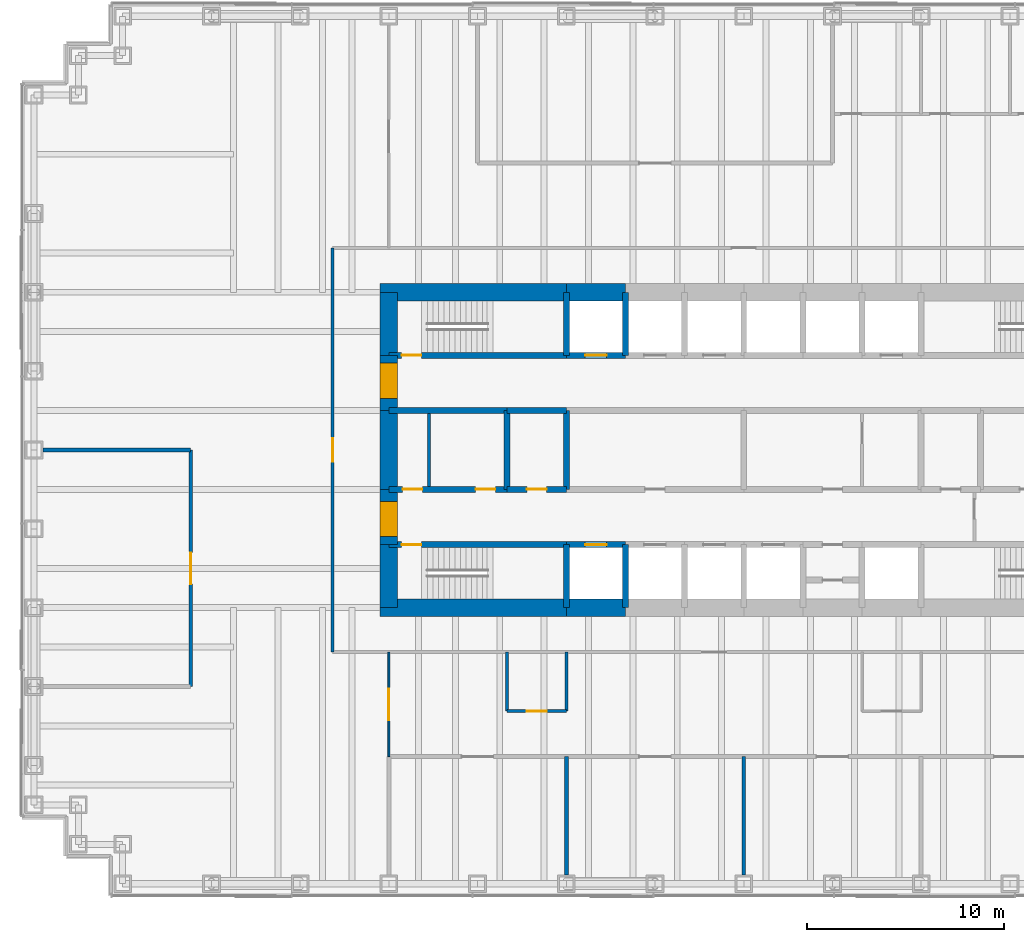
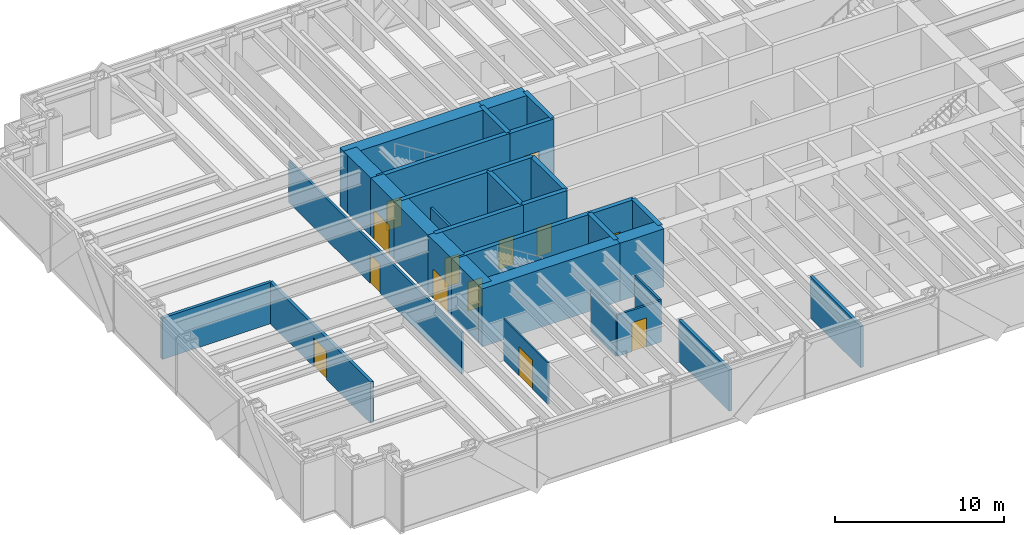
# One storey, part 11 of 15: 33 walls, 13 doors, 13 openings.
"""IFC4 building model written with IfcOpenShell, lengths in metres."""

from ifc_helpers import new_model, si_unit, direction, frame, frame_2d, origin, place, context, subcontext, project, spatial, rectangle, extrude, material, layer, layer_set, type_object, element, fill, save


model = new_model("IFC4")

# Units and contexts
model_context = context("Model", 3, precision=1e-05, world=origin(), true_north=direction((0.0, 1.0)))
body_context = subcontext(model_context, "Body", "Model", "MODEL_VIEW")
ifc_project = project(units=[si_unit("LENGTHUNIT", "METRE"), si_unit("AREAUNIT", "SQUARE_METRE"), si_unit("VOLUMEUNIT", "CUBIC_METRE"), si_unit("PLANEANGLEUNIT", "RADIAN"), si_unit("MASSUNIT", "GRAM", prefix="KILO")], contexts=[model_context])

# Site, building, storey
site_placement = place(None, origin())
site = spatial("IfcSite", under=ifc_project, at=site_placement, CompositionType="ELEMENT")
building_placement = place(site_placement, origin())
building = spatial("IfcBuilding", under=site, at=building_placement, Name="Rheinbord Bourse Tower", CompositionType="ELEMENT")
storey_placement = place(building_placement, frame((0.0, 0.0, 146.699951171875)))
storey = spatial("IfcBuildingStorey", under=building, at=storey_placement, Name="L32", CompositionType="ELEMENT", Elevation=146.699951171875)

# Wall
ifc_material_1 = material(Name="Acoustic gypsum board partition", Category="gypsum board")
ifc_layer_1 = layer(ifc_material_1, 0.199951171875)
ifc_layer_set_1 = layer_set([ifc_layer_1], Name="ACOUSTIC PARTITION 200")
wall_type_1 = type_object("IfcWallType", Name="ACOUSTIC PARTITION 200", PredefinedType="PARTITIONING", material=ifc_layer_set_1)
wall_1_placement = place(storey_placement, frame((0.449951171875, 24.0, 0.0), z_axis=(0.0, 0.0, 1.0), x_axis=(1.0, 0.0, 0.0)))
element("IfcWall", 1, at=wall_1_placement, inside=storey, type_object=wall_type_1, Name="Partition L32-07", PredefinedType="PARTITIONING", context=body_context, shape_type="SweptSolid", body=[
    extrude(rectangle(XDim=7.5, YDim=0.199951171875, at=frame_2d((3.75, 0.0))), origin(), (0.0, 0.0, 1.0), 3.0),
])

# Wall, opening, door
wall_2_placement = place(storey_placement, frame((7.949951171875, 12.0, 0.0), z_axis=(0.0, 0.0, 1.0), x_axis=(0.0, 1.0, 0.0)))
wall_2 = element("IfcWall", 2, at=wall_2_placement, inside=storey, type_object=wall_type_1, Name="Partition L32-14", PredefinedType="PARTITIONING", context=body_context, shape_type="SweptSolid", body=[
    extrude(rectangle(XDim=12.0, YDim=0.199951171875, at=frame_2d((6.0, 0.0))), origin(), (0.0, 0.0, 1.0), 3.0),
])
opening_1_placement = place(wall_2_placement, frame((5.199951171875, 0.0, 0.0)))
opening_1 = element("IfcOpeningElement", 3, at=opening_1_placement, cuts=wall_2, Name="Opening 32D07", PredefinedType="OPENING", context=body_context, shape_type="SweptSolid", body=[
    extrude(rectangle(XDim=1.60009765625, YDim=2.10009765625, at=frame_2d((0.800048828125, 1.050048828125))), frame((0.0, 0.10986328125, 0.0), z_axis=(0.0, -1.0, 0.0), x_axis=(1.0, 0.0, 0.0)), (0.0, 0.0, 1.0), 0.219970703125),
])
ifc_material_2 = material(Name="Timber door", Category="wood")
door_type_1 = type_object("IfcDoorType", Name="DOUBLE ROOM DOOR 1600", OperationType="DOUBLE_DOOR_DOUBLE_SWING", PredefinedType="DOOR", material=ifc_material_2)
door_1_placement = place(opening_1_placement, origin())
door_1 = element("IfcDoor", 4, at=door_1_placement, inside=storey, type_object=door_type_1, Name="Seminar room door L32", OperationType="SINGLE_SWING_LEFT", OverallHeight=2.10009765625, OverallWidth=1.60009765625, PredefinedType="DOOR", context=body_context, shape_type="SweptSolid", body=[
    extrude(rectangle(XDim=1.60009765625, YDim=2.10009765625, at=frame_2d((0.800048828125, 1.050048828125))), frame((0.0, 0.02490234375, 0.0), z_axis=(0.0, -1.0, 0.0), x_axis=(1.0, 0.0, 0.0)), (0.0, 0.0, 1.0), 0.050048828125),
])
fill(opening_1, door_1)

# Walls
for number, where, z_axis, x_axis, name in (
    (5, (27.0, 2.449951171875, 0.0), (0.0, 0.0, 1.0), (0.0, 1.0, 0.0), "Partition L32-21"),
    (6, (36.0, 2.449951171875, 0.0), (0.0, 0.0, 1.0), (0.0, 1.0, 0.0), "Partition L32-23"),
):
    element("IfcWall", number, at=place(storey_placement, frame(where, z_axis=z_axis, x_axis=x_axis)), inside=storey, type_object=wall_type_1, Name=name, PredefinedType="PARTITIONING", context=body_context, shape_type="SweptSolid", body=[
        extrude(rectangle(XDim=6.0, YDim=0.199951171875, at=frame_2d((3.0, 0.0))), origin(), (0.0, 0.0, 1.0), 3.0),
    ])

# Wall, opening, door
ifc_material_3 = material(Name="Concrete C50/60", Category="concrete")
ifc_layer_2 = layer(ifc_material_3, 0.300048828125)
ifc_layer_set_2 = layer_set([ifc_layer_2], Name="CORE INNER WALL 300")
wall_type_2 = type_object("IfcWallType", Name="CORE INNER WALL 300", PredefinedType="SOLIDWALL", material=ifc_layer_set_2)
wall_3_placement = place(storey_placement, frame((18.0, 19.199951171875, 0.0), z_axis=(0.0, 0.0, 1.0), x_axis=(1.0, 0.0, 0.0)))
wall_3 = element("IfcWall", 7, at=wall_3_placement, inside=storey, type_object=wall_type_2, Name="Core wall A1 L32", PredefinedType="SOLIDWALL", context=body_context, shape_type="SweptSolid", body=[
    extrude(rectangle(XDim=9.0, YDim=0.300048828125, at=frame_2d((4.5, 0.0))), origin(), (0.0, 0.0, 1.0), 4.199951171875),
])
opening_2_placement = place(wall_3_placement, frame((0.64990234375, 0.0, 0.0)))
opening_2 = element("IfcOpeningElement", 8, at=opening_2_placement, cuts=wall_3, Name="Opening 3210", PredefinedType="OPENING", context=body_context, shape_type="SweptSolid", body=[
    extrude(rectangle(XDim=1.0, YDim=2.10009765625, at=frame_2d((0.5, 1.050048828125))), frame((0.0, 0.159912109375, 0.0), z_axis=(0.0, -1.0, 0.0), x_axis=(1.0, 0.0, 0.0)), (0.0, 0.0, 1.0), 0.320068359375),
])
ifc_material_4 = material(Name="Steel door", Category="steel")
door_type_2 = type_object("IfcDoorType", Name="DOOR 1000 EI30", OperationType="SINGLE_SWING_LEFT", PredefinedType="DOOR", material=ifc_material_4)
door_2_placement = place(opening_2_placement, origin())
door_2 = element("IfcDoor", 9, at=door_2_placement, inside=storey, type_object=door_type_2, Name="Stair door ST1 L32", OperationType="SINGLE_SWING_LEFT", OverallHeight=2.10009765625, OverallWidth=1.0, PredefinedType="DOOR", context=body_context, shape_type="SweptSolid", body=[
    extrude(rectangle(XDim=1.0, YDim=2.10009765625, at=frame_2d((0.5, 1.050048828125))), frame((0.0, 0.02490234375, 0.0), z_axis=(0.0, -1.0, 0.0), x_axis=(1.0, 0.0, 0.0)), (0.0, 0.0, 1.0), 0.050048828125),
])
fill(opening_2, door_2)

wall_4_placement = place(storey_placement, frame((27.0, 19.199951171875, 0.0), z_axis=(0.0, 0.0, 1.0), x_axis=(1.0, 0.0, 0.0)))
wall_4 = element("IfcWall", 10, at=wall_4_placement, inside=storey, type_object=wall_type_2, Name="Core wall A2 L32", PredefinedType="SOLIDWALL", context=body_context, shape_type="SweptSolid", body=[
    extrude(rectangle(XDim=3.0, YDim=0.300048828125, at=frame_2d((1.5, 0.0))), origin(), (0.0, 0.0, 1.0), 4.199951171875),
])
opening_3_placement = place(wall_4_placement, frame((0.949951171875, 0.0, 0.0)))
opening_3 = element("IfcOpeningElement", 11, at=opening_3_placement, cuts=wall_4, Name="Opening FL1", PredefinedType="OPENING", context=body_context, shape_type="SweptSolid", body=[
    extrude(rectangle(XDim=1.10009765625, YDim=2.199951171875, at=frame_2d((0.550048828125, 1.10009765625))), frame((0.0, 0.159912109375, 0.0), z_axis=(0.0, -1.0, 0.0), x_axis=(1.0, 0.0, 0.0)), (0.0, 0.0, 1.0), 0.320068359375),
])
ifc_material_5 = material(Name="Steel landing door", Category="steel")
door_type_3 = type_object("IfcDoorType", Name="LIFT LANDING DOOR 1100", OperationType="DOUBLE_DOOR_SLIDING", PredefinedType="USERDEFINED", material=ifc_material_5)
door_3_placement = place(opening_3_placement, origin())
door_3 = element("IfcDoor", 12, at=door_3_placement, inside=storey, type_object=door_type_3, Name="Lift landing door FL1 L32", ObjectType="LIFT LANDING DOOR", OperationType="DOUBLE_DOOR_SLIDING", OverallHeight=2.199951171875, OverallWidth=1.10009765625, PredefinedType="USERDEFINED", context=body_context, shape_type="SweptSolid", body=[
    extrude(rectangle(XDim=1.10009765625, YDim=2.199951171875, at=frame_2d((0.550048828125, 1.10009765625))), frame((0.0, 0.02490234375, 0.0), z_axis=(0.0, -1.0, 0.0), x_axis=(1.0, 0.0, 0.0)), (0.0, 0.0, 1.0), 0.050048828125),
])
fill(opening_3, door_3)

wall_5_placement = place(storey_placement, frame((18.0, 28.800048828125, 0.0), z_axis=(0.0, 0.0, 1.0), x_axis=(1.0, 0.0, 0.0)))
wall_5 = element("IfcWall", 13, at=wall_5_placement, inside=storey, type_object=wall_type_2, Name="Core wall B1 L32", PredefinedType="SOLIDWALL", context=body_context, shape_type="SweptSolid", body=[
    extrude(rectangle(XDim=9.0, YDim=0.300048828125, at=frame_2d((4.5, 0.0))), origin(), (0.0, 0.0, 1.0), 4.199951171875),
])
opening_4_placement = place(wall_5_placement, frame((0.64990234375, 0.0, 0.0)))
opening_4 = element("IfcOpeningElement", 14, at=opening_4_placement, cuts=wall_5, Name="Opening 3220", PredefinedType="OPENING", context=body_context, shape_type="SweptSolid", body=[
    extrude(rectangle(XDim=1.0, YDim=2.10009765625, at=frame_2d((0.5, 1.050048828125))), frame((0.0, 0.159912109375, 0.0), z_axis=(0.0, -1.0, 0.0), x_axis=(1.0, 0.0, 0.0)), (0.0, 0.0, 1.0), 0.320068359375),
])
door_4_placement = place(opening_4_placement, origin())
door_4 = element("IfcDoor", 15, at=door_4_placement, inside=storey, type_object=door_type_2, Name="Stair door ST2 L32", OperationType="SINGLE_SWING_LEFT", OverallHeight=2.10009765625, OverallWidth=1.0, PredefinedType="DOOR", context=body_context, shape_type="SweptSolid", body=[
    extrude(rectangle(XDim=1.0, YDim=2.10009765625, at=frame_2d((0.5, 1.050048828125))), frame((0.0, 0.02490234375, 0.0), z_axis=(0.0, -1.0, 0.0), x_axis=(1.0, 0.0, 0.0)), (0.0, 0.0, 1.0), 0.050048828125),
])
fill(opening_4, door_4)

wall_6_placement = place(storey_placement, frame((27.0, 28.800048828125, 0.0), z_axis=(0.0, 0.0, 1.0), x_axis=(1.0, 0.0, 0.0)))
wall_6 = element("IfcWall", 16, at=wall_6_placement, inside=storey, type_object=wall_type_2, Name="Core wall B2 L32", PredefinedType="SOLIDWALL", context=body_context, shape_type="SweptSolid", body=[
    extrude(rectangle(XDim=3.0, YDim=0.300048828125, at=frame_2d((1.5, 0.0))), origin(), (0.0, 0.0, 1.0), 4.199951171875),
])
opening_5_placement = place(wall_6_placement, frame((0.949951171875, 0.0, 0.0)))
opening_5 = element("IfcOpeningElement", 17, at=opening_5_placement, cuts=wall_6, Name="Opening GL1", PredefinedType="OPENING", context=body_context, shape_type="SweptSolid", body=[
    extrude(rectangle(XDim=1.10009765625, YDim=2.199951171875, at=frame_2d((0.550048828125, 1.10009765625))), frame((0.0, 0.159912109375, 0.0), z_axis=(0.0, -1.0, 0.0), x_axis=(1.0, 0.0, 0.0)), (0.0, 0.0, 1.0), 0.320068359375),
])
door_5_placement = place(opening_5_placement, origin())
door_5 = element("IfcDoor", 18, at=door_5_placement, inside=storey, type_object=door_type_3, Name="Lift landing door GL1 L32", ObjectType="LIFT LANDING DOOR", OperationType="DOUBLE_DOOR_SLIDING", OverallHeight=2.199951171875, OverallWidth=1.10009765625, PredefinedType="USERDEFINED", context=body_context, shape_type="SweptSolid", body=[
    extrude(rectangle(XDim=1.10009765625, YDim=2.199951171875, at=frame_2d((0.550048828125, 1.10009765625))), frame((0.0, 0.02490234375, 0.0), z_axis=(0.0, -1.0, 0.0), x_axis=(1.0, 0.0, 0.0)), (0.0, 0.0, 1.0), 0.050048828125),
])
fill(opening_5, door_5)

# Wall, openings, doors
wall_7_placement = place(storey_placement, frame((18.0, 22.0, 0.0), z_axis=(0.0, 0.0, 1.0), x_axis=(1.0, 0.0, 0.0)))
wall_7 = element("IfcWall", 19, at=wall_7_placement, inside=storey, type_object=wall_type_2, Name="Core wall C1 L32", PredefinedType="SOLIDWALL", context=body_context, shape_type="SweptSolid", body=[
    extrude(rectangle(XDim=6.0, YDim=0.300048828125, at=frame_2d((3.0, 0.0))), origin(), (0.0, 0.0, 1.0), 4.199951171875),
])
opening_6_placement = place(wall_7_placement, frame((4.39990234375, 0.0, 0.0)))
opening_6 = element("IfcOpeningElement", 20, at=opening_6_placement, cuts=wall_7, Name="Opening 32R1", PredefinedType="OPENING", context=body_context, shape_type="SweptSolid", body=[
    extrude(rectangle(XDim=1.0, YDim=2.10009765625, at=frame_2d((0.5, 1.050048828125))), frame((0.0, 0.159912109375, 0.0), z_axis=(0.0, -1.0, 0.0), x_axis=(1.0, 0.0, 0.0)), (0.0, 0.0, 1.0), 0.320068359375),
])
opening_7_placement = place(wall_7_placement, frame((0.699951171875, 0.0, 0.0)))
opening_7 = element("IfcOpeningElement", 21, at=opening_7_placement, cuts=wall_7, Name="Opening 32R9", PredefinedType="OPENING", context=body_context, shape_type="SweptSolid", body=[
    extrude(rectangle(XDim=1.0, YDim=2.10009765625, at=frame_2d((0.5, 1.050048828125))), frame((0.0, 0.159912109375, 0.0), z_axis=(0.0, -1.0, 0.0), x_axis=(1.0, 0.0, 0.0)), (0.0, 0.0, 1.0), 0.320068359375),
])
door_6_placement = place(opening_7_placement, origin())
door_6 = element("IfcDoor", 22, at=door_6_placement, inside=storey, type_object=door_type_2, Name="Staff shower door L32", OperationType="SINGLE_SWING_LEFT", OverallHeight=2.10009765625, OverallWidth=1.0, PredefinedType="DOOR", context=body_context, shape_type="SweptSolid", body=[
    extrude(rectangle(XDim=1.0, YDim=2.10009765625, at=frame_2d((0.5, 1.050048828125))), frame((0.0, 0.02490234375, 0.0), z_axis=(0.0, -1.0, 0.0), x_axis=(1.0, 0.0, 0.0)), (0.0, 0.0, 1.0), 0.050048828125),
])
fill(opening_7, door_6)
ifc_material_6 = material(Name="Timber door", Category="wood")
door_type_4 = type_object("IfcDoorType", Name="DOOR 1000 WC", OperationType="SINGLE_SWING_LEFT", PredefinedType="DOOR", material=ifc_material_6)
door_7_placement = place(opening_6_placement, origin())
door_7 = element("IfcDoor", 23, at=door_7_placement, inside=storey, type_object=door_type_4, Name="WC men door L32", OperationType="SINGLE_SWING_RIGHT", OverallHeight=2.10009765625, OverallWidth=1.0, PredefinedType="DOOR", context=body_context, shape_type="SweptSolid", body=[
    extrude(rectangle(XDim=1.0, YDim=2.10009765625, at=frame_2d((0.5, 1.050048828125))), frame((0.0, 0.02490234375, 0.0), z_axis=(0.0, -1.0, 0.0), x_axis=(1.0, 0.0, 0.0)), (0.0, 0.0, 1.0), 0.050048828125),
])
fill(opening_6, door_7)

# Wall, opening, door
wall_8_placement = place(storey_placement, frame((24.0, 22.0, 0.0), z_axis=(0.0, 0.0, 1.0), x_axis=(1.0, 0.0, 0.0)))
wall_8 = element("IfcWall", 24, at=wall_8_placement, inside=storey, type_object=wall_type_2, Name="Core wall C2 L32", PredefinedType="SOLIDWALL", context=body_context, shape_type="SweptSolid", body=[
    extrude(rectangle(XDim=3.0, YDim=0.300048828125, at=frame_2d((1.5, 0.0))), origin(), (0.0, 0.0, 1.0), 4.199951171875),
])
opening_8_placement = place(wall_8_placement, frame((1.0, 0.0, 0.0)))
opening_8 = element("IfcOpeningElement", 25, at=opening_8_placement, cuts=wall_8, Name="Opening 32R2", PredefinedType="OPENING", context=body_context, shape_type="SweptSolid", body=[
    extrude(rectangle(XDim=1.0, YDim=2.10009765625, at=frame_2d((0.5, 1.050048828125))), frame((0.0, 0.159912109375, 0.0), z_axis=(0.0, -1.0, 0.0), x_axis=(1.0, 0.0, 0.0)), (0.0, 0.0, 1.0), 0.320068359375),
])
door_8_placement = place(opening_8_placement, origin())
door_8 = element("IfcDoor", 26, at=door_8_placement, inside=storey, type_object=door_type_4, Name="Accessible WC door L32", OperationType="SINGLE_SWING_LEFT", OverallHeight=2.10009765625, OverallWidth=1.0, PredefinedType="DOOR", context=body_context, shape_type="SweptSolid", body=[
    extrude(rectangle(XDim=1.0, YDim=2.10009765625, at=frame_2d((0.5, 1.050048828125))), frame((0.0, 0.02490234375, 0.0), z_axis=(0.0, -1.0, 0.0), x_axis=(1.0, 0.0, 0.0)), (0.0, 0.0, 1.0), 0.050048828125),
])
fill(opening_8, door_8)

# Walls
wall_9_placement = place(storey_placement, frame((18.0, 26.0, 0.0), z_axis=(0.0, 0.0, 1.0), x_axis=(1.0, 0.0, 0.0)))
element("IfcWall", 27, at=wall_9_placement, inside=storey, type_object=wall_type_2, Name="Core wall D1 L32", PredefinedType="SOLIDWALL", context=body_context, shape_type="SweptSolid", body=[
    extrude(rectangle(XDim=6.0, YDim=0.300048828125, at=frame_2d((3.0, 0.0))), origin(), (0.0, 0.0, 1.0), 4.199951171875),
])
wall_10_placement = place(storey_placement, frame((24.0, 26.0, 0.0), z_axis=(0.0, 0.0, 1.0), x_axis=(1.0, 0.0, 0.0)))
element("IfcWall", 28, at=wall_10_placement, inside=storey, type_object=wall_type_2, Name="Core wall D2 L32", PredefinedType="SOLIDWALL", context=body_context, shape_type="SweptSolid", body=[
    extrude(rectangle(XDim=3.0, YDim=0.300048828125, at=frame_2d((1.5, 0.0))), origin(), (0.0, 0.0, 1.0), 4.199951171875),
])
for number, where, z_axis, x_axis, name in (
    (29, (27.0, 16.0, 0.0), (0.0, 0.0, 1.0), (0.0, 1.0, 0.0), "Core wall SX27 L32"),
    (30, (27.0, 28.800048828125, 0.0), (0.0, 0.0, 1.0), (0.0, 1.0, 0.0), "Core wall NX27 L32"),
    (31, (30.0, 16.0, 0.0), (0.0, 0.0, 1.0), (0.0, 1.0, 0.0), "Core wall SX30 L32"),
    (32, (30.0, 28.800048828125, 0.0), (0.0, 0.0, 1.0), (0.0, 1.0, 0.0), "Core wall NX30 L32"),
):
    element("IfcWall", number, at=place(storey_placement, frame(where, z_axis=z_axis, x_axis=x_axis)), inside=storey, type_object=wall_type_2, Name=name, PredefinedType="SOLIDWALL", context=body_context, shape_type="SweptSolid", body=[
        extrude(rectangle(XDim=3.199951171875, YDim=0.300048828125, at=frame_2d((1.60009765625, 0.0))), origin(), (0.0, 0.0, 1.0), 4.199951171875),
    ])
for number, where, z_axis, x_axis, name in (
    (33, (24.0, 22.0, 0.0), (0.0, 0.0, 1.0), (0.0, 1.0, 0.0), "Core wall MX24 L32"),
    (34, (27.0, 22.0, 0.0), (0.0, 0.0, 1.0), (0.0, 1.0, 0.0), "Core wall MX27 L32"),
):
    element("IfcWall", number, at=place(storey_placement, frame(where, z_axis=z_axis, x_axis=x_axis)), inside=storey, type_object=wall_type_2, Name=name, PredefinedType="SOLIDWALL", context=body_context, shape_type="SweptSolid", body=[
        extrude(rectangle(XDim=4.0, YDim=0.300048828125, at=frame_2d((2.0, 0.0))), origin(), (0.0, 0.0, 1.0), 4.199951171875),
    ])
ifc_material_7 = material(Name="Gypsum board fire partition", Category="gypsum board")
ifc_layer_3 = layer(ifc_material_7, 0.14990234375)
ifc_layer_set_3 = layer_set([ifc_layer_3], Name="CORE PARTITION 150 EI30")
wall_type_3 = type_object("IfcWallType", Name="CORE PARTITION 150 EI30", PredefinedType="PARTITIONING", material=ifc_layer_set_3)
wall_11_placement = place(storey_placement, frame((20.02490234375, 22.14990234375, 0.0), z_axis=(0.0, 0.0, 1.0), x_axis=(0.0, 1.0, 0.0)))
element("IfcWall", 35, at=wall_11_placement, inside=storey, type_object=wall_type_3, Name="Core partition L32-2", PredefinedType="PARTITIONING", context=body_context, shape_type="SweptSolid", body=[
    extrude(rectangle(XDim=3.7001953125, YDim=0.14990234375, at=frame_2d((1.85009765625, 0.0))), origin(), (0.0, 0.0, 1.0), 3.0),
])
ifc_material_8 = material(Name="Concrete C50/60", Category="concrete")
ifc_layer_4 = layer(ifc_material_8, 0.89990234375)
ifc_layer_set_4 = layer_set([ifc_layer_4], Name="CORE WALL 900")
wall_type_4 = type_object("IfcWallType", Name="CORE WALL 900", PredefinedType="SHEAR", material=ifc_layer_set_4)
wall_12_placement = place(storey_placement, frame((17.550048828125, 16.0, 0.0), z_axis=(0.0, 0.0, 1.0), x_axis=(1.0, 0.0, 0.0)))
element("IfcWall", 36, at=wall_12_placement, inside=storey, type_object=wall_type_4, Name="Core wall S1 L32", PredefinedType="SHEAR", context=body_context, shape_type="SweptSolid", body=[
    extrude(rectangle(XDim=9.449951171875, YDim=0.89990234375, at=frame_2d((4.72509765625, 0.0))), origin(), (0.0, 0.0, 1.0), 4.199951171875),
])
for number, where, z_axis, x_axis, name in (
    (37, (27.0, 16.0, 0.0), (0.0, 0.0, 1.0), (1.0, 0.0, 0.0), "Core wall S2 L32"),
    (38, (30.0, 32.0, 0.0), (0.0, 0.0, 1.0), (-1.0, 0.0, 0.0), "Core wall N7 L32"),
):
    element("IfcWall", number, at=place(storey_placement, frame(where, z_axis=z_axis, x_axis=x_axis)), inside=storey, type_object=wall_type_4, Name=name, PredefinedType="SHEAR", context=body_context, shape_type="SweptSolid", body=[
        extrude(rectangle(XDim=3.0, YDim=0.89990234375, at=frame_2d((1.5, 0.0))), origin(), (0.0, 0.0, 1.0), 4.199951171875),
    ])
wall_13_placement = place(storey_placement, frame((27.0, 32.0, 0.0), z_axis=(0.0, 0.0, 1.0), x_axis=(-1.0, 0.0, 0.0)))
element("IfcWall", 39, at=wall_13_placement, inside=storey, type_object=wall_type_4, Name="Core wall N8 L32", PredefinedType="SHEAR", context=body_context, shape_type="SweptSolid", body=[
    extrude(rectangle(XDim=9.449951171875, YDim=0.89990234375, at=frame_2d((4.72509765625, 0.0))), origin(), (0.0, 0.0, 1.0), 4.199951171875),
])
wall_14_placement = place(storey_placement, frame((18.0, 32.0, 0.0), z_axis=(0.0, 0.0, 1.0), x_axis=(0.0, -1.0, 0.0)))
element("IfcWall", 40, at=wall_14_placement, inside=storey, type_object=wall_type_4, Name="Core wall W1 L32", PredefinedType="SHEAR", context=body_context, shape_type="SweptSolid", body=[
    extrude(rectangle(XDim=3.199951171875, YDim=0.89990234375, at=frame_2d((1.60009765625, 0.0))), origin(), (0.0, 0.0, 1.0), 4.199951171875),
])

# Wall, opening, door
wall_15_placement = place(storey_placement, frame((18.0, 28.800048828125, 0.0), z_axis=(0.0, 0.0, 1.0), x_axis=(0.0, -1.0, 0.0)))
wall_15 = element("IfcWall", 41, at=wall_15_placement, inside=storey, type_object=wall_type_4, Name="Core wall W2 L32", PredefinedType="SHEAR", context=body_context, shape_type="SweptSolid", body=[
    extrude(rectangle(XDim=2.800048828125, YDim=0.89990234375, at=frame_2d((1.39990234375, 0.0))), origin(), (0.0, 0.0, 1.0), 4.199951171875),
])
opening_9_placement = place(wall_15_placement, frame((0.39990234375, 0.0, 0.0)))
opening_9 = element("IfcOpeningElement", 42, at=opening_9_placement, cuts=wall_15, Name="Opening 32L2", PredefinedType="OPENING", context=body_context, shape_type="SweptSolid", body=[
    extrude(rectangle(XDim=1.800048828125, YDim=2.10009765625, at=frame_2d((0.89990234375, 1.050048828125))), frame((0.0, 0.4599609375, 0.0), z_axis=(0.0, -1.0, 0.0), x_axis=(1.0, 0.0, 0.0)), (0.0, 0.0, 1.0), 0.919921875),
])
ifc_material_9 = material(Name="Steel door", Category="steel")
door_type_5 = type_object("IfcDoorType", Name="DOOR 1800 EI30 DOUBLE", OperationType="DOUBLE_DOOR_DOUBLE_SWING", PredefinedType="DOOR", material=ifc_material_9)
door_9_placement = place(opening_9_placement, origin())
door_9 = element("IfcDoor", 43, at=door_9_placement, inside=storey, type_object=door_type_5, Name="Lobby door 2 L32", OperationType="SINGLE_SWING_LEFT", OverallHeight=2.10009765625, OverallWidth=1.800048828125, PredefinedType="DOOR", context=body_context, shape_type="SweptSolid", body=[
    extrude(rectangle(XDim=1.800048828125, YDim=2.10009765625, at=frame_2d((0.89990234375, 1.050048828125))), frame((0.0, 0.44970703125, 0.0), z_axis=(0.0, -1.0, 0.0), x_axis=(1.0, 0.0, 0.0)), (0.0, 0.0, 1.0), 0.8994140625),
])
fill(opening_9, door_9)

# Wall
wall_16_placement = place(storey_placement, frame((18.0, 26.0, 0.0), z_axis=(0.0, 0.0, 1.0), x_axis=(0.0, -1.0, 0.0)))
element("IfcWall", 44, at=wall_16_placement, inside=storey, type_object=wall_type_4, Name="Core wall W3 L32", PredefinedType="SHEAR", context=body_context, shape_type="SweptSolid", body=[
    extrude(rectangle(XDim=4.0, YDim=0.89990234375, at=frame_2d((2.0, 0.0))), origin(), (0.0, 0.0, 1.0), 4.199951171875),
])

# Wall, opening, door
wall_17_placement = place(storey_placement, frame((18.0, 22.0, 0.0), z_axis=(0.0, 0.0, 1.0), x_axis=(0.0, -1.0, 0.0)))
wall_17 = element("IfcWall", 45, at=wall_17_placement, inside=storey, type_object=wall_type_4, Name="Core wall W4 L32", PredefinedType="SHEAR", context=body_context, shape_type="SweptSolid", body=[
    extrude(rectangle(XDim=2.800048828125, YDim=0.89990234375, at=frame_2d((1.39990234375, 0.0))), origin(), (0.0, 0.0, 1.0), 4.199951171875),
])
opening_10_placement = place(wall_17_placement, frame((0.60009765625, 0.0, 0.0)))
opening_10 = element("IfcOpeningElement", 46, at=opening_10_placement, cuts=wall_17, Name="Opening 32L1", PredefinedType="OPENING", context=body_context, shape_type="SweptSolid", body=[
    extrude(rectangle(XDim=1.800048828125, YDim=2.10009765625, at=frame_2d((0.89990234375, 1.050048828125))), frame((0.0, 0.4599609375, 0.0), z_axis=(0.0, -1.0, 0.0), x_axis=(1.0, 0.0, 0.0)), (0.0, 0.0, 1.0), 0.919921875),
])
door_10_placement = place(opening_10_placement, origin())
door_10 = element("IfcDoor", 47, at=door_10_placement, inside=storey, type_object=door_type_5, Name="Lobby door 1 L32", OperationType="SINGLE_SWING_LEFT", OverallHeight=2.10009765625, OverallWidth=1.800048828125, PredefinedType="DOOR", context=body_context, shape_type="SweptSolid", body=[
    extrude(rectangle(XDim=1.800048828125, YDim=2.10009765625, at=frame_2d((0.89990234375, 1.050048828125))), frame((0.0, 0.44970703125, 0.0), z_axis=(0.0, -1.0, 0.0), x_axis=(1.0, 0.0, 0.0)), (0.0, 0.0, 1.0), 0.8994140625),
])
fill(opening_10, door_10)

# Wall
wall_18_placement = place(storey_placement, frame((18.0, 19.199951171875, 0.0), z_axis=(0.0, 0.0, 1.0), x_axis=(0.0, -1.0, 0.0)))
element("IfcWall", 48, at=wall_18_placement, inside=storey, type_object=wall_type_4, Name="Core wall W5 L32", PredefinedType="SHEAR", context=body_context, shape_type="SweptSolid", body=[
    extrude(rectangle(XDim=3.199951171875, YDim=0.89990234375, at=frame_2d((1.60009765625, 0.0))), origin(), (0.0, 0.0, 1.0), 4.199951171875),
])

# Wall, opening, door
ifc_material_10 = material(Name="Gypsum board corridor partition", Category="gypsum board")
ifc_layer_5 = layer(ifc_material_10, 0.14990234375)
ifc_layer_set_5 = layer_set([ifc_layer_5], Name="CORRIDOR PARTITION 150 EI30")
wall_type_5 = type_object("IfcWallType", Name="CORRIDOR PARTITION 150 EI30", PredefinedType="PARTITIONING", material=ifc_layer_set_5)
wall_19_placement = place(storey_placement, frame((15.14990234375, 13.75, 0.0), z_axis=(0.0, 0.0, 1.0), x_axis=(0.0, 1.0, 0.0)))
wall_19 = element("IfcWall", 49, at=wall_19_placement, inside=storey, type_object=wall_type_5, Name="Partition L32-15", PredefinedType="PARTITIONING", context=body_context, shape_type="SweptSolid", body=[
    extrude(rectangle(XDim=20.5, YDim=0.14990234375, at=frame_2d((10.25, 0.0))), origin(), (0.0, 0.0, 1.0), 3.0),
])
opening_11_placement = place(wall_19_placement, frame((9.64990234375, 0.0, 0.0)))
opening_11 = element("IfcOpeningElement", 50, at=opening_11_placement, cuts=wall_19, Name="Opening 32D18", PredefinedType="OPENING", context=body_context, shape_type="SweptSolid", body=[
    extrude(rectangle(XDim=1.199951171875, YDim=2.10009765625, at=frame_2d((0.60009765625, 1.050048828125))), frame((0.0, 0.0849609375, 0.0), z_axis=(0.0, -1.0, 0.0), x_axis=(1.0, 0.0, 0.0)), (0.0, 0.0, 1.0), 0.169921875),
])
ifc_material_11 = material(Name="Timber fire door", Category="wood")
door_type_6 = type_object("IfcDoorType", Name="SUITE ENTRANCE DOOR 1200 EI30", OperationType="SINGLE_SWING_LEFT", PredefinedType="DOOR", material=ifc_material_11)
door_11_placement = place(opening_11_placement, origin())
door_11 = element("IfcDoor", 51, at=door_11_placement, inside=storey, type_object=door_type_6, Name="Suite entrance 1 door L32", OperationType="SINGLE_SWING_LEFT", OverallHeight=2.10009765625, OverallWidth=1.199951171875, PredefinedType="DOOR", context=body_context, shape_type="SweptSolid", body=[
    extrude(rectangle(XDim=1.199951171875, YDim=2.10009765625, at=frame_2d((0.60009765625, 1.050048828125))), frame((0.0, 0.02490234375, 0.0), z_axis=(0.0, -1.0, 0.0), x_axis=(1.0, 0.0, 0.0)), (0.0, 0.0, 1.0), 0.050048828125),
])
fill(opening_11, door_11)

ifc_material_12 = material(Name="Toughened laminated glass partition", Category="glass")
ifc_layer_6 = layer(ifc_material_12, 0.10009765625)
ifc_layer_set_6 = layer_set([ifc_layer_6], Name="GLAZED PARTITION 100")
wall_type_6 = type_object("IfcWallType", Name="GLAZED PARTITION 100", PredefinedType="PARTITIONING", material=ifc_layer_set_6)
wall_20_placement = place(storey_placement, frame((18.0, 8.449951171875, 0.0), z_axis=(0.0, 0.0, 1.0), x_axis=(0.0, 1.0, 0.0)))
wall_20 = element("IfcWall", 52, at=wall_20_placement, inside=storey, type_object=wall_type_6, Name="Partition L32-17", PredefinedType="PARTITIONING", context=body_context, shape_type="SweptSolid", body=[
    extrude(rectangle(XDim=5.300048828125, YDim=0.10009765625, at=frame_2d((2.64990234375, 0.0))), origin(), (0.0, 0.0, 1.0), 3.0),
])
opening_12_placement = place(wall_20_placement, frame((1.85009765625, 0.0, 0.0)))
opening_12 = element("IfcOpeningElement", 53, at=opening_12_placement, cuts=wall_20, Name="Opening 32D14", PredefinedType="OPENING", context=body_context, shape_type="SweptSolid", body=[
    extrude(rectangle(XDim=1.60009765625, YDim=2.10009765625, at=frame_2d((0.800048828125, 1.050048828125))), frame((0.0, 0.06005859375, 0.0), z_axis=(0.0, -1.0, 0.0), x_axis=(1.0, 0.0, 0.0)), (0.0, 0.0, 1.0), 0.1201171875),
])
door_12_placement = place(opening_12_placement, origin())
door_12 = element("IfcDoor", 54, at=door_12_placement, inside=storey, type_object=door_type_1, Name="Open area door L32", OperationType="SINGLE_SWING_LEFT", OverallHeight=2.10009765625, OverallWidth=1.60009765625, PredefinedType="DOOR", context=body_context, shape_type="SweptSolid", body=[
    extrude(rectangle(XDim=1.60009765625, YDim=2.10009765625, at=frame_2d((0.800048828125, 1.050048828125))), frame((0.0, 0.02490234375, 0.0), z_axis=(0.0, -1.0, 0.0), x_axis=(1.0, 0.0, 0.0)), (0.0, 0.0, 1.0), 0.050048828125),
])
fill(opening_12, door_12)

ifc_material_13 = material(Name="Gypsum board partition", Category="gypsum board")
ifc_layer_7 = layer(ifc_material_13, 0.14990234375)
ifc_layer_set_7 = layer_set([ifc_layer_7], Name="PARTITION 150")
wall_type_7 = type_object("IfcWallType", Name="PARTITION 150", PredefinedType="PARTITIONING", material=ifc_layer_set_7)
wall_21_placement = place(storey_placement, frame((24.0, 10.75, 0.0), z_axis=(0.0, 0.0, 1.0), x_axis=(1.0, 0.0, 0.0)))
wall_21 = element("IfcWall", 55, at=wall_21_placement, inside=storey, type_object=wall_type_7, Name="Partition L32-02", PredefinedType="PARTITIONING", context=body_context, shape_type="SweptSolid", body=[
    extrude(rectangle(XDim=3.0, YDim=0.14990234375, at=frame_2d((1.5, 0.0))), origin(), (0.0, 0.0, 1.0), 3.0),
])
opening_13_placement = place(wall_21_placement, frame((1.0, 0.0, 0.0)))
opening_13 = element("IfcOpeningElement", 56, at=opening_13_placement, cuts=wall_21, Name="Opening 32D05", PredefinedType="OPENING", context=body_context, shape_type="SweptSolid", body=[
    extrude(rectangle(XDim=1.0, YDim=2.10009765625, at=frame_2d((0.5, 1.050048828125))), frame((0.0, 0.0849609375, 0.0), z_axis=(0.0, -1.0, 0.0), x_axis=(1.0, 0.0, 0.0)), (0.0, 0.0, 1.0), 0.169921875),
])
ifc_material_14 = material(Name="Timber door", Category="wood")
door_type_7 = type_object("IfcDoorType", Name="ROOM DOOR 1000", OperationType="SINGLE_SWING_LEFT", PredefinedType="DOOR", material=ifc_material_14)
door_13_placement = place(opening_13_placement, origin())
door_13 = element("IfcDoor", 57, at=door_13_placement, inside=storey, type_object=door_type_7, Name="Print room door L32", OperationType="SINGLE_SWING_LEFT", OverallHeight=2.10009765625, OverallWidth=1.0, PredefinedType="DOOR", context=body_context, shape_type="SweptSolid", body=[
    extrude(rectangle(XDim=1.0, YDim=2.10009765625, at=frame_2d((0.5, 1.050048828125))), frame((0.0, 0.02490234375, 0.0), z_axis=(0.0, -1.0, 0.0), x_axis=(1.0, 0.0, 0.0)), (0.0, 0.0, 1.0), 0.050048828125),
])
fill(opening_13, door_13)

# Walls
for number, where, z_axis, x_axis, name in (
    (58, (24.0, 10.75, 0.0), (0.0, 0.0, 1.0), (0.0, 1.0, 0.0), "Partition L32-20"),
    (59, (27.0, 10.75, 0.0), (0.0, 0.0, 1.0), (0.0, 1.0, 0.0), "Partition L32-22"),
):
    element("IfcWall", number, at=place(storey_placement, frame(where, z_axis=z_axis, x_axis=x_axis)), inside=storey, type_object=wall_type_7, Name=name, PredefinedType="PARTITIONING", context=body_context, shape_type="SweptSolid", body=[
        extrude(rectangle(XDim=3.0, YDim=0.14990234375, at=frame_2d((1.5, 0.0))), origin(), (0.0, 0.0, 1.0), 3.0),
    ])

save(model, "model.ifc")
